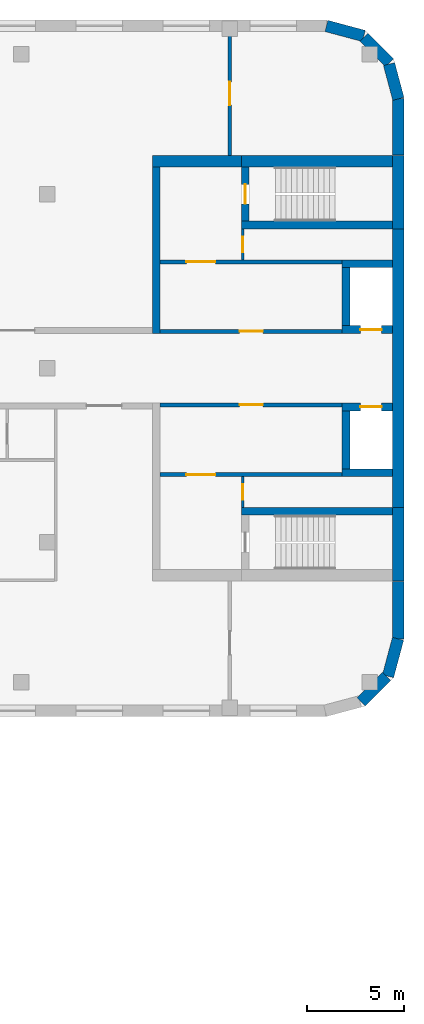
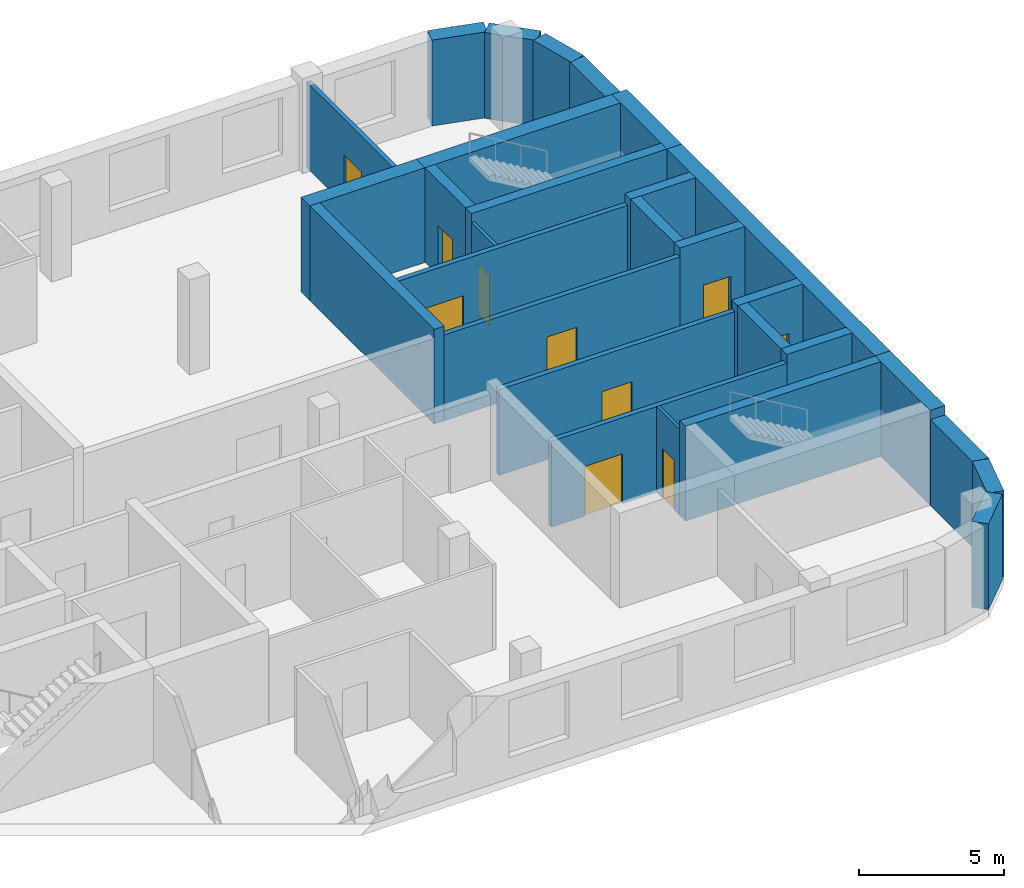
# One storey, part 9 of 12: 29 walls, 10 doors, 10 openings.
"""IFC4 building model written with IfcOpenShell, lengths in metres."""

from ifc_helpers import new_model, si_unit, direction, frame, frame_2d, origin, place, context, subcontext, project, spatial, rectangle, extrude, material, layer, layer_set, type_object, element, fill, save


model = new_model("IFC4")

# Units and contexts
model_context = context("Model", 3, precision=1e-05, world=origin(), true_north=direction((0.0, 1.0)))
body_context = subcontext(model_context, "Body", "Model", "MODEL_VIEW")
ifc_project = project(units=[si_unit("LENGTHUNIT", "METRE"), si_unit("AREAUNIT", "SQUARE_METRE"), si_unit("VOLUMEUNIT", "CUBIC_METRE"), si_unit("PLANEANGLEUNIT", "RADIAN"), si_unit("MASSUNIT", "GRAM", prefix="KILO")], contexts=[model_context])

# Site, building, storey
site_placement = place(None, origin())
site = spatial("IfcSite", under=ifc_project, at=site_placement, CompositionType="ELEMENT")
building_placement = place(site_placement, origin())
building = spatial("IfcBuilding", under=site, at=building_placement, Name="Skarvind Civic Tower", CompositionType="ELEMENT")
storey_placement = place(building_placement, frame((0.0, 0.0, 35.5)))
storey = spatial("IfcBuildingStorey", under=building, at=storey_placement, Name="L07", CompositionType="ELEMENT", Elevation=35.5)

# Wall, opening, door
ifc_material_1 = material(Name="Acoustic gypsum board on steel studs", Category="steel")
ifc_layer_1 = layer(ifc_material_1, 0.175048828125)
ifc_layer_set_1 = layer_set([ifc_layer_1], Name="ACOUSTIC MEETING-ROOM PARTITION 175")
wall_type_1 = type_object("IfcWallType", Name="ACOUSTIC MEETING-ROOM PARTITION 175", PredefinedType="PARTITIONING", material=ifc_layer_set_1)
wall_1_placement = place(storey_placement, frame((158.0, 139.0, 0.0), z_axis=(0.0, 0.0, 1.0), x_axis=(0.0, 1.0, 0.0)))
wall_1 = element("IfcWall", 1, at=wall_1_placement, inside=storey, type_object=wall_type_1, Name="Partition 07.017", PredefinedType="PARTITIONING", context=body_context, shape_type="SweptSolid", body=[
    extrude(rectangle(XDim=6.39990234375, YDim=0.175048828125, at=frame_2d((3.199951171875, 0.0))), origin(), (0.0, 0.0, 1.0), 3.625),
])
opening_1_placement = place(wall_1_placement, frame((2.60009765625, 0.0, 0.0)))
opening_1 = element("IfcOpeningElement", 2, at=opening_1_placement, cuts=wall_1, Name="Opening L07-D104", PredefinedType="OPENING", context=body_context, shape_type="SweptSolid", body=[
    extrude(rectangle(XDim=1.199951171875, YDim=2.10009765625, at=frame_2d((0.60009765625, 1.050048828125))), frame((0.0, 0.097412109375, 0.0), z_axis=(0.0, -1.0, 0.0), x_axis=(1.0, 0.0, 0.0)), (0.0, 0.0, 1.0), 0.195068359375),
])
ifc_material_2 = material(Name="Timber door leaf", Category="wood")
door_type_1 = type_object("IfcDoorType", Name="DOOR 1200X2100 DOUBLE TIMBER", OperationType="NOTDEFINED", PredefinedType="DOOR", material=ifc_material_2)
door_1_placement = place(opening_1_placement, origin())
door_1 = element("IfcDoor", 3, at=door_1_placement, inside=storey, type_object=door_type_1, Name="Door L07-D104", OperationType="DOUBLE_DOOR_SINGLE_SWING", OverallHeight=2.10009765625, OverallWidth=1.199951171875, PredefinedType="DOOR", context=body_context, shape_type="SweptSolid", body=[
    extrude(rectangle(XDim=1.199951171875, YDim=2.10009765625, at=frame_2d((0.60009765625, 1.050048828125))), frame((0.0, 0.02490234375, 0.0), z_axis=(0.0, -1.0, 0.0), x_axis=(1.0, 0.0, 0.0)), (0.0, 0.0, 1.0), 0.050048828125),
])
fill(opening_1, door_1)

ifc_material_3 = material(Name="Fire-rated masonry partition", Category="masonry")
ifc_layer_2 = layer(ifc_material_3, 0.199951171875)
ifc_layer_set_2 = layer_set([ifc_layer_2], Name="Core enclosure wall 200")
wall_type_2 = type_object("IfcWallType", Name="Core enclosure wall 200", PredefinedType="PARTITIONING", material=ifc_layer_set_2)
wall_2_placement = place(storey_placement, frame((163.800048828125, 126.10009765625, 0.0), z_axis=(0.0, 0.0, 1.0), x_axis=(-1.0, 0.0, 0.0)))
wall_2 = element("IfcWall", 4, at=wall_2_placement, inside=storey, type_object=wall_type_2, Name="Core wall CB", PredefinedType="PARTITIONING", context=body_context, shape_type="SweptSolid", body=[
    extrude(rectangle(XDim=9.400146484375, YDim=0.199951171875, at=frame_2d((4.7001953125, 0.0))), origin(), (0.0, 0.0, 1.0), 3.625),
])
opening_2_placement = place(wall_2_placement, frame((4.10009765625, 0.0, 0.0)))
opening_2 = element("IfcOpeningElement", 5, at=opening_2_placement, cuts=wall_2, Name="Opening D-L07-CB-03", PredefinedType="OPENING", context=body_context, shape_type="SweptSolid", body=[
    extrude(rectangle(XDim=1.199951171875, YDim=2.10009765625, at=frame_2d((0.60009765625, 1.050048828125))), frame((0.0, 0.10986328125, 0.0), z_axis=(0.0, -1.0, 0.0), x_axis=(1.0, 0.0, 0.0)), (0.0, 0.0, 1.0), 0.219970703125),
])
ifc_material_4 = material(Name="Fire-rated steel door", Category="steel")
door_type_2 = type_object("IfcDoorType", Name="Core lobby door 1200", OperationType="NOTDEFINED", PredefinedType="DOOR", material=ifc_material_4)
door_2_placement = place(opening_2_placement, origin())
door_2 = element("IfcDoor", 6, at=door_2_placement, inside=storey, type_object=door_type_2, Name="Fire door", OperationType="DOUBLE_DOOR_SINGLE_SWING", OverallHeight=2.10009765625, OverallWidth=1.199951171875, PredefinedType="DOOR", context=body_context, shape_type="SweptSolid", body=[
    extrude(rectangle(XDim=1.199951171875, YDim=2.10009765625, at=frame_2d((0.60009765625, 1.050048828125))), frame((0.0, 0.02490234375, 0.0), z_axis=(0.0, -1.0, 0.0), x_axis=(1.0, 0.0, 0.0)), (0.0, 0.0, 1.0), 0.050048828125),
])
fill(opening_2, door_2)

wall_3_placement = place(storey_placement, frame((163.800048828125, 122.5, 0.0), z_axis=(0.0, 0.0, 1.0), x_axis=(-1.0, 0.0, 0.0)))
wall_3 = element("IfcWall", 7, at=wall_3_placement, inside=storey, type_object=wall_type_2, Name="Core wall CB", PredefinedType="PARTITIONING", context=body_context, shape_type="SweptSolid", body=[
    extrude(rectangle(XDim=9.400146484375, YDim=0.199951171875, at=frame_2d((4.7001953125, 0.0))), origin(), (0.0, 0.0, 1.0), 3.625),
])
opening_3_placement = place(wall_3_placement, frame((6.550048828125, 0.0, 0.0)))
opening_3 = element("IfcOpeningElement", 8, at=opening_3_placement, cuts=wall_3, Name="Opening D-L07-CB-04", PredefinedType="OPENING", context=body_context, shape_type="SweptSolid", body=[
    extrude(rectangle(XDim=1.5, YDim=2.10009765625, at=frame_2d((0.75, 1.050048828125))), frame((0.0, 0.10986328125, 0.0), z_axis=(0.0, -1.0, 0.0), x_axis=(1.0, 0.0, 0.0)), (0.0, 0.0, 1.0), 0.219970703125),
])
door_type_3 = type_object("IfcDoorType", Name="Fire door 1500", OperationType="NOTDEFINED", PredefinedType="DOOR", material=ifc_material_4)
door_3_placement = place(opening_3_placement, origin())
door_3 = element("IfcDoor", 9, at=door_3_placement, inside=storey, type_object=door_type_3, Name="Fire door", OperationType="DOUBLE_DOOR_SINGLE_SWING", OverallHeight=2.10009765625, OverallWidth=1.5, PredefinedType="DOOR", context=body_context, shape_type="SweptSolid", body=[
    extrude(rectangle(XDim=1.5, YDim=2.10009765625, at=frame_2d((0.75, 1.050048828125))), frame((0.0, 0.02490234375, 0.0), z_axis=(0.0, -1.0, 0.0), x_axis=(1.0, 0.0, 0.0)), (0.0, 0.0, 1.0), 0.050048828125),
])
fill(opening_3, door_3)

wall_4_placement = place(storey_placement, frame((154.39990234375, 129.89990234375, 0.0), z_axis=(0.0, 0.0, 1.0), x_axis=(1.0, 0.0, 0.0)))
wall_4 = element("IfcWall", 10, at=wall_4_placement, inside=storey, type_object=wall_type_2, Name="Core wall CB", PredefinedType="PARTITIONING", context=body_context, shape_type="SweptSolid", body=[
    extrude(rectangle(XDim=9.400146484375, YDim=0.199951171875, at=frame_2d((4.7001953125, 0.0))), origin(), (0.0, 0.0, 1.0), 3.625),
])
opening_4_placement = place(wall_4_placement, frame((4.10009765625, 0.0, 0.0)))
opening_4 = element("IfcOpeningElement", 11, at=opening_4_placement, cuts=wall_4, Name="Opening D-L07-CB-07", PredefinedType="OPENING", context=body_context, shape_type="SweptSolid", body=[
    extrude(rectangle(XDim=1.199951171875, YDim=2.10009765625, at=frame_2d((0.60009765625, 1.050048828125))), frame((0.0, 0.10986328125, 0.0), z_axis=(0.0, -1.0, 0.0), x_axis=(1.0, 0.0, 0.0)), (0.0, 0.0, 1.0), 0.219970703125),
])
door_4_placement = place(opening_4_placement, origin())
door_4 = element("IfcDoor", 12, at=door_4_placement, inside=storey, type_object=door_type_2, Name="Fire door", OperationType="DOUBLE_DOOR_SINGLE_SWING", OverallHeight=2.10009765625, OverallWidth=1.199951171875, PredefinedType="DOOR", context=body_context, shape_type="SweptSolid", body=[
    extrude(rectangle(XDim=1.199951171875, YDim=2.10009765625, at=frame_2d((0.60009765625, 1.050048828125))), frame((0.0, 0.02490234375, 0.0), z_axis=(0.0, -1.0, 0.0), x_axis=(1.0, 0.0, 0.0)), (0.0, 0.0, 1.0), 0.050048828125),
])
fill(opening_4, door_4)

wall_5_placement = place(storey_placement, frame((154.39990234375, 133.5, 0.0), z_axis=(0.0, 0.0, 1.0), x_axis=(1.0, 0.0, 0.0)))
wall_5 = element("IfcWall", 13, at=wall_5_placement, inside=storey, type_object=wall_type_2, Name="Core wall CB", PredefinedType="PARTITIONING", context=body_context, shape_type="SweptSolid", body=[
    extrude(rectangle(XDim=9.400146484375, YDim=0.199951171875, at=frame_2d((4.7001953125, 0.0))), origin(), (0.0, 0.0, 1.0), 3.625),
])
opening_5_placement = place(wall_5_placement, frame((1.35009765625, 0.0, 0.0)))
opening_5 = element("IfcOpeningElement", 14, at=opening_5_placement, cuts=wall_5, Name="Opening D-L07-CB-08", PredefinedType="OPENING", context=body_context, shape_type="SweptSolid", body=[
    extrude(rectangle(XDim=1.5, YDim=2.10009765625, at=frame_2d((0.75, 1.050048828125))), frame((0.0, 0.10986328125, 0.0), z_axis=(0.0, -1.0, 0.0), x_axis=(1.0, 0.0, 0.0)), (0.0, 0.0, 1.0), 0.219970703125),
])
door_5_placement = place(opening_5_placement, origin())
door_5 = element("IfcDoor", 15, at=door_5_placement, inside=storey, type_object=door_type_3, Name="Fire door", OperationType="DOUBLE_DOOR_SINGLE_SWING", OverallHeight=2.10009765625, OverallWidth=1.5, PredefinedType="DOOR", context=body_context, shape_type="SweptSolid", body=[
    extrude(rectangle(XDim=1.5, YDim=2.10009765625, at=frame_2d((0.75, 1.050048828125))), frame((0.0, 0.02490234375, 0.0), z_axis=(0.0, -1.0, 0.0), x_axis=(1.0, 0.0, 0.0)), (0.0, 0.0, 1.0), 0.050048828125),
])
fill(opening_5, door_5)

# Wall
ifc_material_5 = material(Name="Concrete C80", Category="concrete")
ifc_layer_3 = layer(ifc_material_5, 0.39990234375)
ifc_layer_set_3 = layer_set([ifc_layer_3], Name="Core wall 400 C80")
wall_type_3 = type_object("IfcWallType", Name="Core wall 400 C80", PredefinedType="SHEAR", material=ifc_layer_set_3)
wall_6_placement = place(storey_placement, frame((166.39990234375, 135.39990234375, 0.0), z_axis=(0.0, 0.0, 1.0), x_axis=(-1.0, 0.0, 0.0)))
element("IfcWall", 16, at=wall_6_placement, inside=storey, type_object=wall_type_3, Name="Core wall CB south stair inner L07", PredefinedType="SHEAR", context=body_context, shape_type="SweptSolid", body=[
    extrude(rectangle(XDim=7.7998046875, YDim=0.39990234375, at=frame_2d((3.89990234375, 0.0))), origin(), (0.0, 0.0, 1.0), 4.0),
])

# Wall, opening, door
wall_7_placement = place(storey_placement, frame((158.800048828125, 138.39990234375, 0.0), z_axis=(0.0, 0.0, 1.0), x_axis=(0.0, -1.0, 0.0)))
wall_7 = element("IfcWall", 17, at=wall_7_placement, inside=storey, type_object=wall_type_3, Name="Core wall CB south stair end L07", PredefinedType="SHEAR", context=body_context, shape_type="SweptSolid", body=[
    extrude(rectangle(XDim=2.7998046875, YDim=0.39990234375, at=frame_2d((1.39990234375, 0.0))), origin(), (0.0, 0.0, 1.0), 4.0),
])
opening_6_placement = place(wall_7_placement, frame((0.89990234375, 0.0, 0.0)))
opening_6 = element("IfcOpeningElement", 18, at=opening_6_placement, cuts=wall_7, Name="Opening D-L07-CB-09", PredefinedType="OPENING", context=body_context, shape_type="SweptSolid", body=[
    extrude(rectangle(XDim=1.0, YDim=2.10009765625, at=frame_2d((0.5, 1.050048828125))), frame((0.0, 0.2099609375, 0.0), z_axis=(0.0, -1.0, 0.0), x_axis=(1.0, 0.0, 0.0)), (0.0, 0.0, 1.0), 0.419921875),
])
door_type_4 = type_object("IfcDoorType", Name="Fire door 1000", OperationType="NOTDEFINED", PredefinedType="DOOR", material=ifc_material_4)
door_6_placement = place(opening_6_placement, origin())
door_6 = element("IfcDoor", 19, at=door_6_placement, inside=storey, type_object=door_type_4, Name="Fire door", OperationType="SINGLE_SWING_RIGHT", OverallHeight=2.10009765625, OverallWidth=1.0, PredefinedType="DOOR", context=body_context, shape_type="SweptSolid", body=[
    extrude(rectangle(XDim=1.0, YDim=2.10009765625, at=frame_2d((0.5, 1.050048828125))), frame((0.0, 0.02490234375, 0.0), z_axis=(0.0, -1.0, 0.0), x_axis=(1.0, 0.0, 0.0)), (0.0, 0.0, 1.0), 0.050048828125),
])
fill(opening_6, door_6)

# Wall
wall_8_placement = place(storey_placement, frame((166.39990234375, 120.60009765625, 0.0), z_axis=(0.0, 0.0, 1.0), x_axis=(-1.0, 0.0, 0.0)))
element("IfcWall", 20, at=wall_8_placement, inside=storey, type_object=wall_type_3, Name="Core wall CB north stair inner L07", PredefinedType="SHEAR", context=body_context, shape_type="SweptSolid", body=[
    extrude(rectangle(XDim=7.7998046875, YDim=0.39990234375, at=frame_2d((3.89990234375, 0.0))), origin(), (0.0, 0.0, 1.0), 4.0),
])

# Wall, opening, door
wall_9_placement = place(storey_placement, frame((166.39990234375, 130.0, 0.0), z_axis=(0.0, 0.0, 1.0), x_axis=(-1.0, 0.0, 0.0)))
wall_9 = element("IfcWall", 21, at=wall_9_placement, inside=storey, type_object=wall_type_3, Name="Core wall CB south lift row front L07", PredefinedType="SHEAR", context=body_context, shape_type="SweptSolid", body=[
    extrude(rectangle(XDim=2.599853515625, YDim=0.39990234375, at=frame_2d((1.2998046875, 0.0))), origin(), (0.0, 0.0, 1.0), 4.0),
])
opening_7_placement = place(wall_9_placement, frame((0.550048828125, 0.0, 0.0)))
opening_7 = element("IfcOpeningElement", 22, at=opening_7_placement, cuts=wall_9, Name="Opening LD09402", PredefinedType="OPENING", context=body_context, shape_type="SweptSolid", body=[
    extrude(rectangle(XDim=1.10009765625, YDim=2.10009765625, at=frame_2d((0.550048828125, 1.050048828125))), frame((0.0, 0.2099609375, 0.0), z_axis=(0.0, -1.0, 0.0), x_axis=(1.0, 0.0, 0.0)), (0.0, 0.0, 1.0), 0.419921875),
])
ifc_material_6 = material(Name="Stainless steel landing door", Category="steel")
door_type_5 = type_object("IfcDoorType", Name="Lift landing door 1100", OperationType="DOUBLE_DOOR_SLIDING", PredefinedType="DOOR", material=ifc_material_6)
door_7_placement = place(opening_7_placement, origin())
door_7 = element("IfcDoor", 23, at=door_7_placement, inside=storey, type_object=door_type_5, Name="Lift landing door", OperationType="DOUBLE_DOOR_SLIDING", OverallHeight=2.10009765625, OverallWidth=1.10009765625, PredefinedType="DOOR", context=body_context, shape_type="SweptSolid", body=[
    extrude(rectangle(XDim=1.10009765625, YDim=2.10009765625, at=frame_2d((0.550048828125, 1.050048828125))), frame((0.0, 0.02490234375, 0.0), z_axis=(0.0, -1.0, 0.0), x_axis=(1.0, 0.0, 0.0)), (0.0, 0.0, 1.0), 0.050048828125),
])
fill(opening_7, door_7)

# Walls
wall_10_placement = place(storey_placement, frame((166.39990234375, 133.39990234375, 0.0), z_axis=(0.0, 0.0, 1.0), x_axis=(-1.0, 0.0, 0.0)))
element("IfcWall", 24, at=wall_10_placement, inside=storey, type_object=wall_type_3, Name="Core wall CB south lift row back L07", PredefinedType="SHEAR", context=body_context, shape_type="SweptSolid", body=[
    extrude(rectangle(XDim=2.599853515625, YDim=0.39990234375, at=frame_2d((1.2998046875, 0.0))), origin(), (0.0, 0.0, 1.0), 4.0),
])
wall_11_placement = place(storey_placement, frame((164.0, 133.199951171875, 0.0), z_axis=(0.0, 0.0, 1.0), x_axis=(0.0, -1.0, 0.0)))
element("IfcWall", 25, at=wall_11_placement, inside=storey, type_object=wall_type_3, Name="Core wall CB south lift row division 1 L07", PredefinedType="SHEAR", context=body_context, shape_type="SweptSolid", body=[
    extrude(rectangle(XDim=3.0, YDim=0.39990234375, at=frame_2d((1.5, 0.0))), origin(), (0.0, 0.0, 1.0), 4.0),
])

# Wall, opening, door
wall_12_placement = place(storey_placement, frame((166.39990234375, 126.0, 0.0), z_axis=(0.0, 0.0, 1.0), x_axis=(-1.0, 0.0, 0.0)))
wall_12 = element("IfcWall", 26, at=wall_12_placement, inside=storey, type_object=wall_type_3, Name="Core wall CB north lift row front L07", PredefinedType="SHEAR", context=body_context, shape_type="SweptSolid", body=[
    extrude(rectangle(XDim=2.599853515625, YDim=0.39990234375, at=frame_2d((1.2998046875, 0.0))), origin(), (0.0, 0.0, 1.0), 4.0),
])
opening_8_placement = place(wall_12_placement, frame((0.550048828125, 0.0, 0.0)))
opening_8 = element("IfcOpeningElement", 27, at=opening_8_placement, cuts=wall_12, Name="Opening LD09401", PredefinedType="OPENING", context=body_context, shape_type="SweptSolid", body=[
    extrude(rectangle(XDim=1.10009765625, YDim=2.10009765625, at=frame_2d((0.550048828125, 1.050048828125))), frame((0.0, 0.2099609375, 0.0), z_axis=(0.0, -1.0, 0.0), x_axis=(1.0, 0.0, 0.0)), (0.0, 0.0, 1.0), 0.419921875),
])
door_8_placement = place(opening_8_placement, origin())
door_8 = element("IfcDoor", 28, at=door_8_placement, inside=storey, type_object=door_type_5, Name="Lift landing door", OperationType="DOUBLE_DOOR_SLIDING", OverallHeight=2.10009765625, OverallWidth=1.10009765625, PredefinedType="DOOR", context=body_context, shape_type="SweptSolid", body=[
    extrude(rectangle(XDim=1.10009765625, YDim=2.10009765625, at=frame_2d((0.550048828125, 1.050048828125))), frame((0.0, 0.02490234375, 0.0), z_axis=(0.0, -1.0, 0.0), x_axis=(1.0, 0.0, 0.0)), (0.0, 0.0, 1.0), 0.050048828125),
])
fill(opening_8, door_8)

# Walls
wall_13_placement = place(storey_placement, frame((166.39990234375, 122.60009765625, 0.0), z_axis=(0.0, 0.0, 1.0), x_axis=(-1.0, 0.0, 0.0)))
element("IfcWall", 29, at=wall_13_placement, inside=storey, type_object=wall_type_3, Name="Core wall CB north lift row back L07", PredefinedType="SHEAR", context=body_context, shape_type="SweptSolid", body=[
    extrude(rectangle(XDim=2.599853515625, YDim=0.39990234375, at=frame_2d((1.2998046875, 0.0))), origin(), (0.0, 0.0, 1.0), 4.0),
])
wall_14_placement = place(storey_placement, frame((164.0, 125.800048828125, 0.0), z_axis=(0.0, 0.0, 1.0), x_axis=(0.0, -1.0, 0.0)))
element("IfcWall", 30, at=wall_14_placement, inside=storey, type_object=wall_type_3, Name="Core wall CB north lift row division 1 L07", PredefinedType="SHEAR", context=body_context, shape_type="SweptSolid", body=[
    extrude(rectangle(XDim=3.0, YDim=0.39990234375, at=frame_2d((1.5, 0.0))), origin(), (0.0, 0.0, 1.0), 4.0),
])
wall_15_placement = place(storey_placement, frame((154.199951171875, 138.39990234375, 0.0), z_axis=(0.0, 0.0, 1.0), x_axis=(0.0, -1.0, 0.0)))
element("IfcWall", 31, at=wall_15_placement, inside=storey, type_object=wall_type_3, Name="Core wall CB south inner face L07", PredefinedType="SHEAR", context=body_context, shape_type="SweptSolid", body=[
    extrude(rectangle(XDim=8.599853515625, YDim=0.39990234375, at=frame_2d((4.2998046875, 0.0))), origin(), (0.0, 0.0, 1.0), 4.0),
])
ifc_layer_4 = layer(ifc_material_5, 0.60009765625)
ifc_layer_set_4 = layer_set([ifc_layer_4], Name="Core wall 600 C80")
wall_type_4 = type_object("IfcWallType", Name="Core wall 600 C80", PredefinedType="SHEAR", material=ifc_layer_set_4)
wall_16_placement = place(storey_placement, frame((166.699951171875, 139.0, 0.0), z_axis=(0.0, 0.0, 1.0), x_axis=(0.0, -1.0, 0.0)))
element("IfcWall", 32, at=wall_16_placement, inside=storey, type_object=wall_type_4, Name="Core wall CB tip at the south stair L07", PredefinedType="SHEAR", context=body_context, shape_type="SweptSolid", body=[
    extrude(rectangle(XDim=3.800048828125, YDim=0.60009765625, at=frame_2d((1.89990234375, 0.0))), origin(), (0.0, 0.0, 1.0), 4.0),
])
wall_17_placement = place(storey_placement, frame((166.699951171875, 135.199951171875, 0.0), z_axis=(0.0, 0.0, 1.0), x_axis=(0.0, -1.0, 0.0)))
element("IfcWall", 33, at=wall_17_placement, inside=storey, type_object=wall_type_4, Name="Core wall CB tip between the stairs L07", PredefinedType="SHEAR", context=body_context, shape_type="SweptSolid", body=[
    extrude(rectangle(XDim=14.39990234375, YDim=0.60009765625, at=frame_2d((7.199951171875, 0.0))), origin(), (0.0, 0.0, 1.0), 4.0),
])
wall_18_placement = place(storey_placement, frame((166.699951171875, 120.800048828125, 0.0), z_axis=(0.0, 0.0, 1.0), x_axis=(0.0, -1.0, 0.0)))
element("IfcWall", 34, at=wall_18_placement, inside=storey, type_object=wall_type_4, Name="Core wall CB tip at the north stair L07", PredefinedType="SHEAR", context=body_context, shape_type="SweptSolid", body=[
    extrude(rectangle(XDim=3.800048828125, YDim=0.60009765625, at=frame_2d((1.89990234375, 0.0))), origin(), (0.0, 0.0, 1.0), 4.0),
])
wall_19_placement = place(storey_placement, frame((166.39990234375, 138.699951171875, 0.0), z_axis=(0.0, 0.0, 1.0), x_axis=(-1.0, 0.0, 0.0)))
element("IfcWall", 35, at=wall_19_placement, inside=storey, type_object=wall_type_4, Name="Core wall CB south side at the stair L07", PredefinedType="SHEAR", context=body_context, shape_type="SweptSolid", body=[
    extrude(rectangle(XDim=7.7998046875, YDim=0.60009765625, at=frame_2d((3.89990234375, 0.0))), origin(), (0.0, 0.0, 1.0), 4.0),
])
wall_20_placement = place(storey_placement, frame((158.60009765625, 138.699951171875, 0.0), z_axis=(0.0, 0.0, 1.0), x_axis=(-1.0, 0.0, 0.0)))
element("IfcWall", 36, at=wall_20_placement, inside=storey, type_object=wall_type_4, Name="Core wall CB south side L07", PredefinedType="SHEAR", context=body_context, shape_type="SweptSolid", body=[
    extrude(rectangle(XDim=4.60009765625, YDim=0.60009765625, at=frame_2d((2.300048828125, 0.0))), origin(), (0.0, 0.0, 1.0), 4.0),
])

# Wall, opening, door
ifc_layer_5 = layer(ifc_material_3, 0.125)
ifc_layer_set_5 = layer_set([ifc_layer_5], Name="Riser wall 125")
wall_type_5 = type_object("IfcWallType", Name="Riser wall 125", PredefinedType="PARTITIONING", material=ifc_layer_set_5)
wall_21_placement = place(storey_placement, frame((158.66259765625, 120.800048828125, 0.0), z_axis=(0.0, 0.0, 1.0), x_axis=(0.0, 1.0, 0.0)))
wall_21 = element("IfcWall", 37, at=wall_21_placement, inside=storey, type_object=wall_type_5, Name="Core wall CB", PredefinedType="PARTITIONING", context=body_context, shape_type="SweptSolid", body=[
    extrude(rectangle(XDim=1.599853515625, YDim=0.125, at=frame_2d((0.7998046875, 0.0))), origin(), (0.0, 0.0, 1.0), 3.625),
])
opening_9_placement = place(wall_21_placement, frame((0.39990234375, 0.0, 0.0)))
opening_9 = element("IfcOpeningElement", 38, at=opening_9_placement, cuts=wall_21, Name="Opening D-L07-CB-06", PredefinedType="OPENING", context=body_context, shape_type="SweptSolid", body=[
    extrude(rectangle(XDim=0.800048828125, YDim=2.10009765625, at=frame_2d((0.39990234375, 1.050048828125))), frame((0.0, 0.072509765625, 0.0), z_axis=(0.0, -1.0, 0.0), x_axis=(1.0, 0.0, 0.0)), (0.0, 0.0, 1.0), 0.14501953125),
])
door_type_6 = type_object("IfcDoorType", Name="Core riser door 800", OperationType="NOTDEFINED", PredefinedType="DOOR", material=ifc_material_4)
door_9_placement = place(opening_9_placement, origin())
door_9 = element("IfcDoor", 39, at=door_9_placement, inside=storey, type_object=door_type_6, Name="Riser door", OperationType="SINGLE_SWING_RIGHT", OverallHeight=2.10009765625, OverallWidth=0.800048828125, PredefinedType="DOOR", context=body_context, shape_type="SweptSolid", body=[
    extrude(rectangle(XDim=0.800048828125, YDim=2.10009765625, at=frame_2d((0.39990234375, 1.050048828125))), frame((0.0, 0.02490234375, 0.0), z_axis=(0.0, -1.0, 0.0), x_axis=(1.0, 0.0, 0.0)), (0.0, 0.0, 1.0), 0.050048828125),
])
fill(opening_9, door_9)

wall_22_placement = place(storey_placement, frame((158.66259765625, 133.60009765625, 0.0), z_axis=(0.0, 0.0, 1.0), x_axis=(0.0, 1.0, 0.0)))
wall_22 = element("IfcWall", 40, at=wall_22_placement, inside=storey, type_object=wall_type_5, Name="Core wall CB", PredefinedType="PARTITIONING", context=body_context, shape_type="SweptSolid", body=[
    extrude(rectangle(XDim=1.599853515625, YDim=0.125, at=frame_2d((0.7998046875, 0.0))), origin(), (0.0, 0.0, 1.0), 3.625),
])
opening_10_placement = place(wall_22_placement, frame((0.39990234375, 0.0, 0.0)))
opening_10 = element("IfcOpeningElement", 41, at=opening_10_placement, cuts=wall_22, Name="Opening D-L07-CB-10", PredefinedType="OPENING", context=body_context, shape_type="SweptSolid", body=[
    extrude(rectangle(XDim=0.800048828125, YDim=2.10009765625, at=frame_2d((0.39990234375, 1.050048828125))), frame((0.0, 0.072509765625, 0.0), z_axis=(0.0, -1.0, 0.0), x_axis=(1.0, 0.0, 0.0)), (0.0, 0.0, 1.0), 0.14501953125),
])
door_10_placement = place(opening_10_placement, origin())
door_10 = element("IfcDoor", 42, at=door_10_placement, inside=storey, type_object=door_type_6, Name="Riser door", OperationType="SINGLE_SWING_LEFT", OverallHeight=2.10009765625, OverallWidth=0.800048828125, PredefinedType="DOOR", context=body_context, shape_type="SweptSolid", body=[
    extrude(rectangle(XDim=0.800048828125, YDim=2.10009765625, at=frame_2d((0.39990234375, 1.050048828125))), frame((0.0, 0.02490234375, 0.0), z_axis=(0.0, -1.0, 0.0), x_axis=(1.0, 0.0, 0.0)), (0.0, 0.0, 1.0), 0.050048828125),
])
fill(opening_10, door_10)

# Walls
ifc_material_7 = material(Name="Limestone masonry cladding on insulated backing", Category="masonry")
ifc_layer_6 = layer(ifc_material_7, 0.60009765625)
ifc_layer_set_6 = layer_set([ifc_layer_6], Name="WX1 STONE FACADE WALL 600")
wall_type_6 = type_object("IfcWallType", Name="WX1 STONE FACADE WALL 600", PredefinedType="SOLIDWALL", material=ifc_layer_set_6)
wall_23_placement = place(storey_placement, frame((166.103515625, 112.063720703125, 0.0), z_axis=(0.0, 0.0, 1.0), x_axis=(-0.707106781187, -0.707106781187, 0.0)))
element("IfcWall", 43, at=wall_23_placement, inside=storey, type_object=wall_type_6, Name="STONE FACADE WALL", PredefinedType="SOLIDWALL", context=body_context, shape_type="SweptSolid", body=[
    extrude(rectangle(XDim=1.860595703125, YDim=0.60009765625, at=frame_2d((0.93017578125, 0.0))), origin(), (0.0, 0.0, 1.0), 3.625),
])
wall_24_placement = place(storey_placement, frame((166.692138671875, 114.010009765625, 0.0), z_axis=(0.0, 0.0, 1.0), x_axis=(-0.258839784042, -0.965920269068, 0.0)))
element("IfcWall", 44, at=wall_24_placement, inside=storey, type_object=wall_type_6, Name="STONE FACADE WALL", PredefinedType="SOLIDWALL", context=body_context, shape_type="SweptSolid", body=[
    extrude(rectangle(XDim=2.00048828125, YDim=0.60009765625, at=frame_2d((1.000244140625, 0.0))), origin(), (0.0, 0.0, 1.0), 3.625),
])
wall_25_placement = place(storey_placement, frame((166.699951171875, 116.97998046875, 0.0), z_axis=(0.0, 0.0, 1.0), x_axis=(0.0, -1.0, 0.0)))
element("IfcWall", 45, at=wall_25_placement, inside=storey, type_object=wall_type_6, Name="STONE FACADE WALL", PredefinedType="SOLIDWALL", context=body_context, shape_type="SweptSolid", body=[
    extrude(rectangle(XDim=2.97998046875, YDim=0.60009765625, at=frame_2d((1.489990234375, 0.0))), origin(), (0.0, 0.0, 1.0), 3.625),
])
wall_26_placement = place(storey_placement, frame((166.699951171875, 141.929931640625, 0.0), z_axis=(0.0, 0.0, 1.0), x_axis=(0.0, -1.0, 0.0)))
element("IfcWall", 46, at=wall_26_placement, inside=storey, type_object=wall_type_6, Name="STONE FACADE WALL", PredefinedType="SOLIDWALL", context=body_context, shape_type="SweptSolid", body=[
    extrude(rectangle(XDim=2.909912109375, YDim=0.60009765625, at=frame_2d((1.455078125, 0.0))), origin(), (0.0, 0.0, 1.0), 3.625),
])
for number, where, z_axis, x_axis, name in (
    (47, (166.228759765625, 143.719482421875, 0.0), (0.0, 0.0, 1.0), (0.258773254036, -0.965938094805, 0.0), "STONE FACADE WALL"),
    (48, (164.936279296875, 145.103515625, 0.0), (0.0, 0.0, 1.0), (0.707106781187, -0.707106781187, 0.0), "STONE FACADE WALL"),
):
    element("IfcWall", number, at=place(storey_placement, frame(where, z_axis=z_axis, x_axis=x_axis)), inside=storey, type_object=wall_type_6, Name=name, PredefinedType="SOLIDWALL", context=body_context, shape_type="SweptSolid", body=[
        extrude(rectangle(XDim=1.860595703125, YDim=0.60009765625, at=frame_2d((0.93017578125, 0.0))), origin(), (0.0, 0.0, 1.0), 3.625),
    ])
wall_27_placement = place(storey_placement, frame((162.989990234375, 145.692138671875, 0.0), z_axis=(0.0, 0.0, 1.0), x_axis=(0.965920269068, -0.258839784042, 0.0)))
element("IfcWall", 49, at=wall_27_placement, inside=storey, type_object=wall_type_6, Name="STONE FACADE WALL", PredefinedType="SOLIDWALL", context=body_context, shape_type="SweptSolid", body=[
    extrude(rectangle(XDim=2.00048828125, YDim=0.60009765625, at=frame_2d((1.000244140625, 0.0))), origin(), (0.0, 0.0, 1.0), 3.625),
])

save(model, "model.ifc")
